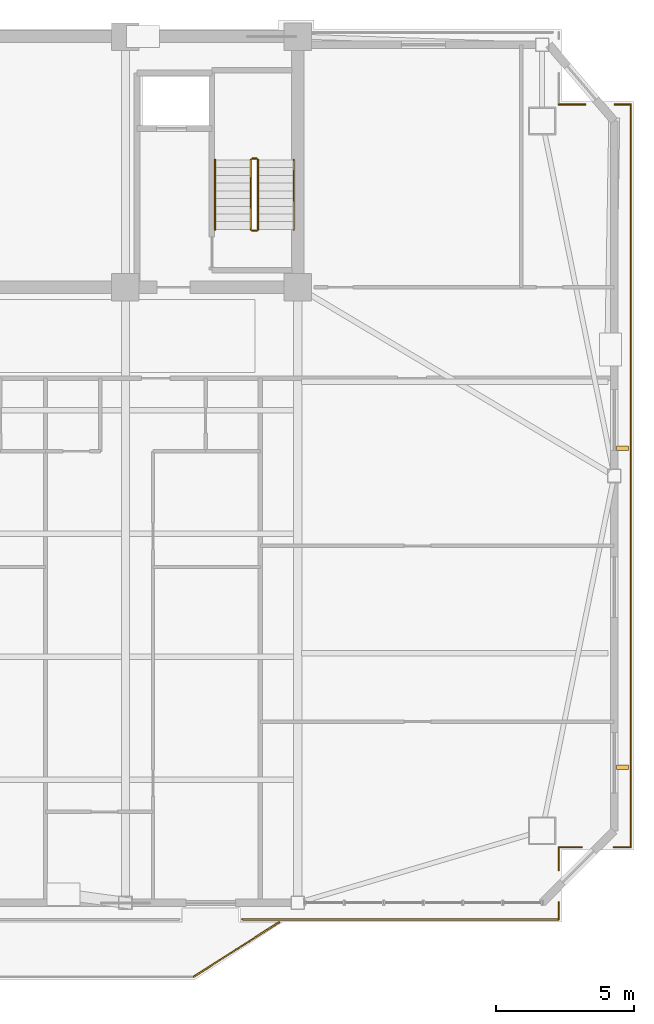
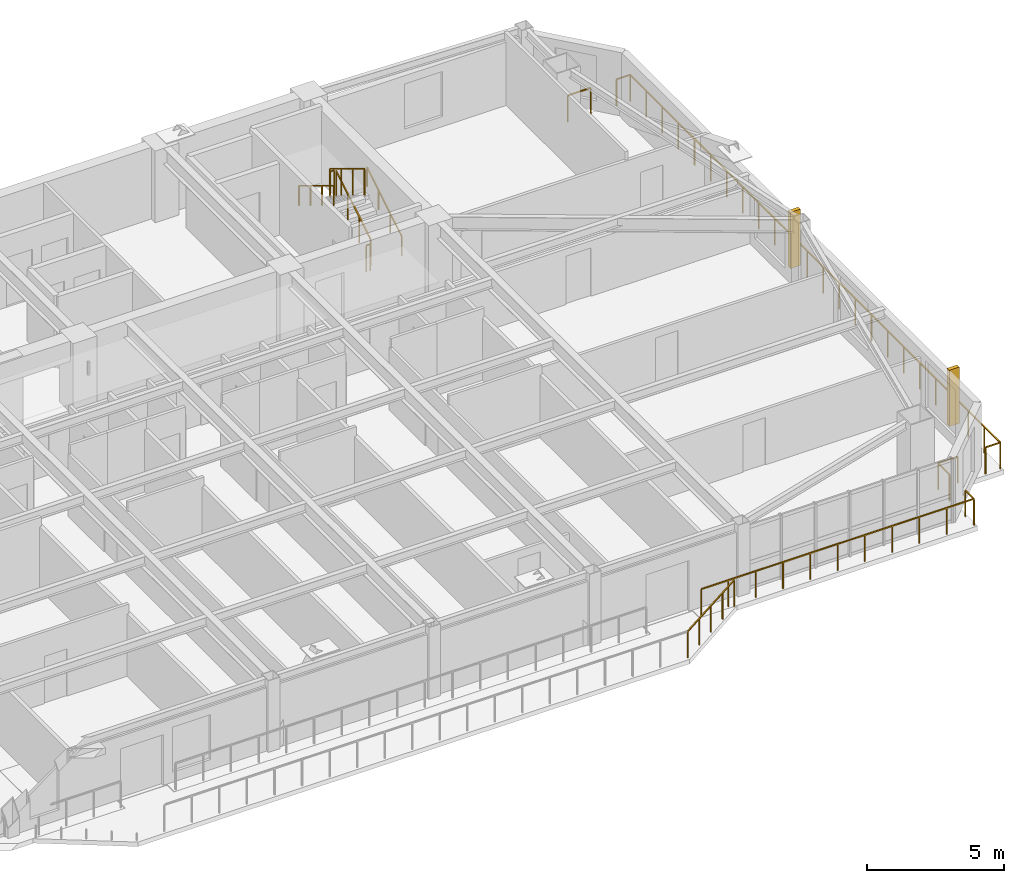
# One storey, part 15 of 17: 15 railings, 2 shading devices.
"""IFC4 building model written with IfcOpenShell, lengths in metres."""

from ifc_helpers import new_model, si_unit, direction, frame, origin, origin_2d, place, context, subcontext, project, spatial, rectangle, extrude, source, transform, mapped, material, type_object, element, save


model = new_model("IFC4")

# Units and contexts
model_context = context("Model", 3, precision=1e-05, world=origin(), true_north=direction((0.0, 1.0)))
body_context = subcontext(model_context, "Body", "Model", "MODEL_VIEW")
ifc_project = project(units=[si_unit("LENGTHUNIT", "METRE"), si_unit("AREAUNIT", "SQUARE_METRE"), si_unit("VOLUMEUNIT", "CUBIC_METRE"), si_unit("PLANEANGLEUNIT", "RADIAN"), si_unit("MASSUNIT", "GRAM", prefix="KILO")], contexts=[model_context])

# Site, building, storey
site_placement = place(None, origin())
site = spatial("IfcSite", under=ifc_project, at=site_placement, CompositionType="ELEMENT")
building_placement = place(site_placement, origin())
building = spatial("IfcBuilding", under=site, at=building_placement, Name="Giltprow Tower", CompositionType="ELEMENT")
storey_placement = place(building_placement, frame((0.0, 0.0, 248.5)))
storey = spatial("IfcBuildingStorey", under=building, at=storey_placement, Name="L63", CompositionType="ELEMENT", Elevation=248.5)

# Railings
ifc_material = material(Name="Anodized bronze", Category="metal")
railing_type_1 = type_object("IfcRailingType", Name="RAIL-BALC-GUARD-1200", PredefinedType="BALUSTRADE", material=ifc_material)
railing_1_placement = place(storey_placement, frame((46.780029296875, 12.43310546875, 0.0)))
element("IfcRailing", 1, at=railing_1_placement, inside=storey, type_object=railing_type_1, Name="L63 Waterfront Balcony Balustrade Seg 3", PredefinedType="BALUSTRADE", context=body_context, shape_type="SweptSolid", body=[
    extrude(rectangle(XDim=0.048095703125, YDim=0.048095703125, at=origin_2d()), frame((0.0, 0.0, 1.17578125), z_axis=(0.842755646126, 0.538296313309, 0.0), x_axis=(-0.538296313309, 0.842755646126, 0.0)), (0.0, 0.0, 1.0), 3.67822265625),
    extrude(rectangle(XDim=0.0419921875, YDim=0.0419921875, at=origin_2d()), origin(), (0.0, 0.0, 1.0), 1.15185546875),
    extrude(rectangle(XDim=0.0419921875, YDim=0.0419921875, at=origin_2d()), frame((0.77490234375, 0.4951171875, 0.0)), (0.0, 0.0, 1.0), 1.15185546875),
    extrude(rectangle(XDim=0.0419921875, YDim=0.0419921875, at=origin_2d()), frame((1.5498046875, 0.989990234375, 0.0)), (0.0, 0.0, 1.0), 1.15185546875),
    extrude(rectangle(XDim=0.0419921875, YDim=0.0419921875, at=origin_2d()), frame((2.324951171875, 1.48486328125, 0.0)), (0.0, 0.0, 1.0), 1.15185546875),
    extrude(rectangle(XDim=0.0419921875, YDim=0.0419921875, at=origin_2d()), frame((3.099853515625, 1.97998046875, 0.0)), (0.0, 0.0, 1.0), 1.15185546875),
])
railing_2_placement = place(storey_placement, frame((62.636962890625, 44.083984375, 0.0)))
element("IfcRailing", 2, at=railing_2_placement, inside=storey, type_object=railing_type_1, Name="L63 Corner Apron Edge Balustrade 1", PredefinedType="BALUSTRADE", context=body_context, shape_type="SweptSolid", body=[
    extrude(rectangle(XDim=0.048095703125, YDim=0.048095703125, at=origin_2d()), frame((0.0, 0.0, 1.17578125), z_axis=(0.0, -1.0, 0.0), x_axis=(1.0, 0.0, 0.0)), (0.0, 0.0, 1.0), 26.9560546875),
    extrude(rectangle(XDim=0.0419921875, YDim=0.0419921875, at=origin_2d()), origin(), (0.0, 0.0, 1.0), 1.15185546875),
    extrude(rectangle(XDim=0.0419921875, YDim=0.0419921875, at=origin_2d()), frame((0.0, -1.172119140625, 0.0)), (0.0, 0.0, 1.0), 1.15185546875),
    extrude(rectangle(XDim=0.0419921875, YDim=0.0419921875, at=origin_2d()), frame((0.0, -2.343994140625, 0.0)), (0.0, 0.0, 1.0), 1.15185546875),
    extrude(rectangle(XDim=0.0419921875, YDim=0.0419921875, at=origin_2d()), frame((0.0, -3.51611328125, 0.0)), (0.0, 0.0, 1.0), 1.15185546875),
    extrude(rectangle(XDim=0.0419921875, YDim=0.0419921875, at=origin_2d()), frame((0.0, -4.68798828125, 0.0)), (0.0, 0.0, 1.0), 1.15185546875),
    extrude(rectangle(XDim=0.0419921875, YDim=0.0419921875, at=origin_2d()), frame((0.0, -5.860107421875, 0.0)), (0.0, 0.0, 1.0), 1.15185546875),
    extrude(rectangle(XDim=0.0419921875, YDim=0.0419921875, at=origin_2d()), frame((0.0, -7.031982421875, 0.0)), (0.0, 0.0, 1.0), 1.15185546875),
    extrude(rectangle(XDim=0.0419921875, YDim=0.0419921875, at=origin_2d()), frame((0.0, -8.2041015625, 0.0)), (0.0, 0.0, 1.0), 1.15185546875),
    extrude(rectangle(XDim=0.0419921875, YDim=0.0419921875, at=origin_2d()), frame((0.0, -9.3759765625, 0.0)), (0.0, 0.0, 1.0), 1.15185546875),
    extrude(rectangle(XDim=0.0419921875, YDim=0.0419921875, at=origin_2d()), frame((0.0, -10.548095703125, 0.0)), (0.0, 0.0, 1.0), 1.15185546875),
    extrude(rectangle(XDim=0.0419921875, YDim=0.0419921875, at=origin_2d()), frame((0.0, -11.719970703125, 0.0)), (0.0, 0.0, 1.0), 1.15185546875),
    extrude(rectangle(XDim=0.0419921875, YDim=0.0419921875, at=origin_2d()), frame((0.0, -12.89208984375, 0.0)), (0.0, 0.0, 1.0), 1.15185546875),
    extrude(rectangle(XDim=0.0419921875, YDim=0.0419921875, at=origin_2d()), frame((0.0, -14.06396484375, 0.0)), (0.0, 0.0, 1.0), 1.15185546875),
    extrude(rectangle(XDim=0.0419921875, YDim=0.0419921875, at=origin_2d()), frame((0.0, -15.236083984375, 0.0)), (0.0, 0.0, 1.0), 1.15185546875),
    extrude(rectangle(XDim=0.0419921875, YDim=0.0419921875, at=origin_2d()), frame((0.0, -16.407958984375, 0.0)), (0.0, 0.0, 1.0), 1.15185546875),
    extrude(rectangle(XDim=0.0419921875, YDim=0.0419921875, at=origin_2d()), frame((0.0, -17.580078125, 0.0)), (0.0, 0.0, 1.0), 1.15185546875),
    extrude(rectangle(XDim=0.0419921875, YDim=0.0419921875, at=origin_2d()), frame((0.0, -18.751953125, 0.0)), (0.0, 0.0, 1.0), 1.15185546875),
    extrude(rectangle(XDim=0.0419921875, YDim=0.0419921875, at=origin_2d()), frame((0.0, -19.924072265625, 0.0)), (0.0, 0.0, 1.0), 1.15185546875),
    extrude(rectangle(XDim=0.0419921875, YDim=0.0419921875, at=origin_2d()), frame((0.0, -21.095947265625, 0.0)), (0.0, 0.0, 1.0), 1.15185546875),
    extrude(rectangle(XDim=0.0419921875, YDim=0.0419921875, at=origin_2d()), frame((0.0, -22.26806640625, 0.0)), (0.0, 0.0, 1.0), 1.15185546875),
    extrude(rectangle(XDim=0.0419921875, YDim=0.0419921875, at=origin_2d()), frame((0.0, -23.43994140625, 0.0)), (0.0, 0.0, 1.0), 1.15185546875),
    extrude(rectangle(XDim=0.0419921875, YDim=0.0419921875, at=origin_2d()), frame((0.0, -24.612060546875, 0.0)), (0.0, 0.0, 1.0), 1.15185546875),
    extrude(rectangle(XDim=0.0419921875, YDim=0.0419921875, at=origin_2d()), frame((0.0, -25.783935546875, 0.0)), (0.0, 0.0, 1.0), 1.15185546875),
    extrude(rectangle(XDim=0.0419921875, YDim=0.0419921875, at=origin_2d()), frame((0.0, -26.9560546875, 0.0)), (0.0, 0.0, 1.0), 1.15185546875),
])
railing_3_placement = place(storey_placement, frame((62.636962890625, 17.1279296875, 0.0)))
element("IfcRailing", 3, at=railing_3_placement, inside=storey, type_object=railing_type_1, Name="L63 Corner Apron Edge Balustrade 2", PredefinedType="BALUSTRADE", context=body_context, shape_type="SweptSolid", body=[
    extrude(rectangle(XDim=0.048095703125, YDim=0.048095703125, at=origin_2d()), frame((0.0, 0.0, 1.17578125), z_axis=(-1.0, 0.0, 0.0), x_axis=(0.0, -1.0, 0.0)), (0.0, 0.0, 1.0), 0.619873046875),
    extrude(rectangle(XDim=0.0419921875, YDim=0.0419921875, at=origin_2d()), origin(), (0.0, 0.0, 1.0), 1.15185546875),
    extrude(rectangle(XDim=0.0419921875, YDim=0.0419921875, at=origin_2d()), frame((-0.619873046875, 0.0, 0.0)), (0.0, 0.0, 1.0), 1.15185546875),
])
railing_4_placement = place(storey_placement, frame((60.85693359375, 17.1279296875, 0.0)))
element("IfcRailing", 4, at=railing_4_placement, inside=storey, type_object=railing_type_1, Name="L63 Corner Apron Edge Balustrade 3", PredefinedType="BALUSTRADE", context=body_context, shape_type="SweptSolid", body=[
    extrude(rectangle(XDim=0.048095703125, YDim=0.048095703125, at=origin_2d()), frame((0.0, 0.0, 1.17578125), z_axis=(-1.0, 0.0, 0.0), x_axis=(0.0, -1.0, 0.0)), (0.0, 0.0, 1.0), 0.8349609375),
    extrude(rectangle(XDim=0.0419921875, YDim=0.0419921875, at=origin_2d()), origin(), (0.0, 0.0, 1.0), 1.15185546875),
    extrude(rectangle(XDim=0.0419921875, YDim=0.0419921875, at=origin_2d()), frame((-0.8349609375, 0.0, 0.0)), (0.0, 0.0, 1.0), 1.15185546875),
])
railing_5_placement = place(storey_placement, frame((60.02197265625, 17.1279296875, 0.0)))
element("IfcRailing", 5, at=railing_5_placement, inside=storey, type_object=railing_type_1, Name="L63 Corner Apron Edge Balustrade 4", PredefinedType="BALUSTRADE", context=body_context, shape_type="SweptSolid", body=[
    extrude(rectangle(XDim=0.048095703125, YDim=0.048095703125, at=origin_2d()), frame((0.0, 0.0, 1.17578125), z_axis=(0.0, -1.0, 0.0), x_axis=(1.0, 0.0, 0.0)), (0.0, 0.0, 1.0), 0.8349609375),
    extrude(rectangle(XDim=0.0419921875, YDim=0.0419921875, at=origin_2d()), origin(), (0.0, 0.0, 1.0), 1.15185546875),
    extrude(rectangle(XDim=0.0419921875, YDim=0.0419921875, at=origin_2d()), frame((0.0, -0.8349609375, 0.0)), (0.0, 0.0, 1.0), 1.15185546875),
])
railing_6_placement = place(storey_placement, frame((60.02197265625, 15.133056640625, 0.0)))
element("IfcRailing", 6, at=railing_6_placement, inside=storey, type_object=railing_type_1, Name="L63 Corner Apron Edge Balustrade 5", PredefinedType="BALUSTRADE", context=body_context, shape_type="SweptSolid", body=[
    extrude(rectangle(XDim=0.048095703125, YDim=0.048095703125, at=origin_2d()), frame((0.0, 0.0, 1.17578125), z_axis=(0.0, -1.0, 0.0), x_axis=(1.0, 0.0, 0.0)), (0.0, 0.0, 1.0), 0.6201171875),
    extrude(rectangle(XDim=0.0419921875, YDim=0.0419921875, at=origin_2d()), origin(), (0.0, 0.0, 1.0), 1.15185546875),
    extrude(rectangle(XDim=0.0419921875, YDim=0.0419921875, at=origin_2d()), frame((0.0, -0.6201171875, 0.0)), (0.0, 0.0, 1.0), 1.15185546875),
])
railing_7_placement = place(storey_placement, frame((60.02197265625, 14.512939453125, 0.0)))
element("IfcRailing", 7, at=railing_7_placement, inside=storey, type_object=railing_type_1, Name="L63 Corner Apron Edge Balustrade 6", PredefinedType="BALUSTRADE", context=body_context, shape_type="SweptSolid", body=[
    extrude(rectangle(XDim=0.048095703125, YDim=0.048095703125, at=origin_2d()), frame((0.0, 0.0, 1.17578125), z_axis=(-1.0, 0.0, 0.0), x_axis=(0.0, -1.0, 0.0)), (0.0, 0.0, 1.0), 11.471923828125),
    extrude(rectangle(XDim=0.0419921875, YDim=0.0419921875, at=origin_2d()), origin(), (0.0, 0.0, 1.0), 1.15185546875),
    extrude(rectangle(XDim=0.0419921875, YDim=0.0419921875, at=origin_2d()), frame((-1.147216796875, 0.0, 0.0)), (0.0, 0.0, 1.0), 1.15185546875),
    extrude(rectangle(XDim=0.0419921875, YDim=0.0419921875, at=origin_2d()), frame((-2.29443359375, 0.0, 0.0)), (0.0, 0.0, 1.0), 1.15185546875),
    extrude(rectangle(XDim=0.0419921875, YDim=0.0419921875, at=origin_2d()), frame((-3.441650390625, 0.0, 0.0)), (0.0, 0.0, 1.0), 1.15185546875),
    extrude(rectangle(XDim=0.0419921875, YDim=0.0419921875, at=origin_2d()), frame((-4.5888671875, 0.0, 0.0)), (0.0, 0.0, 1.0), 1.15185546875),
    extrude(rectangle(XDim=0.0419921875, YDim=0.0419921875, at=origin_2d()), frame((-5.73583984375, 0.0, 0.0)), (0.0, 0.0, 1.0), 1.15185546875),
    extrude(rectangle(XDim=0.0419921875, YDim=0.0419921875, at=origin_2d()), frame((-6.883056640625, 0.0, 0.0)), (0.0, 0.0, 1.0), 1.15185546875),
    extrude(rectangle(XDim=0.0419921875, YDim=0.0419921875, at=origin_2d()), frame((-8.0302734375, 0.0, 0.0)), (0.0, 0.0, 1.0), 1.15185546875),
    extrude(rectangle(XDim=0.0419921875, YDim=0.0419921875, at=origin_2d()), frame((-9.177490234375, 0.0, 0.0)), (0.0, 0.0, 1.0), 1.15185546875),
    extrude(rectangle(XDim=0.0419921875, YDim=0.0419921875, at=origin_2d()), frame((-10.32470703125, 0.0, 0.0)), (0.0, 0.0, 1.0), 1.15185546875),
    extrude(rectangle(XDim=0.0419921875, YDim=0.0419921875, at=origin_2d()), frame((-11.471923828125, 0.0, 0.0)), (0.0, 0.0, 1.0), 1.15185546875),
])
railing_8_placement = place(storey_placement, frame((60.02197265625, 44.083984375, 0.0)))
element("IfcRailing", 8, at=railing_8_placement, inside=storey, type_object=railing_type_1, Name="L63 Corner Apron Edge Balustrade 22", PredefinedType="BALUSTRADE", context=body_context, shape_type="SweptSolid", body=[
    extrude(rectangle(XDim=0.048095703125, YDim=0.048095703125, at=origin_2d()), frame((0.0, 0.0, 1.17578125), z_axis=(1.0, 0.0, 0.0), x_axis=(0.0, 1.0, 0.0)), (0.0, 0.0, 1.0), 0.963134765625),
    extrude(rectangle(XDim=0.0419921875, YDim=0.0419921875, at=origin_2d()), origin(), (0.0, 0.0, 1.0), 1.15185546875),
    extrude(rectangle(XDim=0.0419921875, YDim=0.0419921875, at=origin_2d()), frame((0.963134765625, 0.0, 0.0)), (0.0, 0.0, 1.0), 1.15185546875),
])
railing_9_placement = place(storey_placement, frame((62.06396484375, 44.083984375, 0.0)))
element("IfcRailing", 9, at=railing_9_placement, inside=storey, type_object=railing_type_1, Name="L63 Corner Apron Edge Balustrade 23", PredefinedType="BALUSTRADE", context=body_context, shape_type="SweptSolid", body=[
    extrude(rectangle(XDim=0.048095703125, YDim=0.048095703125, at=origin_2d()), frame((0.0, 0.0, 1.17578125), z_axis=(1.0, 0.0, 0.0), x_axis=(0.0, 1.0, 0.0)), (0.0, 0.0, 1.0), 0.572998046875),
    extrude(rectangle(XDim=0.0419921875, YDim=0.0419921875, at=origin_2d()), origin(), (0.0, 0.0, 1.0), 1.15185546875),
    extrude(rectangle(XDim=0.0419921875, YDim=0.0419921875, at=origin_2d()), frame((0.572998046875, 0.0, 0.0)), (0.0, 0.0, 1.0), 1.15185546875),
])
railing_type_2 = type_object("IfcRailingType", Name="RAIL-STAIR-GUARD-1200", PredefinedType="GUARDRAIL", material=ifc_material)
railing_10_placement = place(storey_placement, frame((49.110107421875, 39.550048828125, 0.169921875)))
element("IfcRailing", 10, at=railing_10_placement, inside=storey, type_object=railing_type_2, Name="L63 ST-3 stair guard 1", PredefinedType="GUARDRAIL", context=body_context, shape_type="SweptSolid", body=[
    extrude(rectangle(XDim=0.048095703125, YDim=0.048095703125, at=origin_2d()), frame((0.0, 0.0, 1.17578125), z_axis=(0.0, 0.85478489116, 0.518982456201), x_axis=(-1.0, 0.0, 0.0)), (0.0, 0.0, 1.0), 2.9482421875),
    extrude(rectangle(XDim=0.0419921875, YDim=0.0419921875, at=origin_2d()), origin(), (0.0, 0.0, 1.0), 1.15185546875),
    extrude(rectangle(XDim=0.0419921875, YDim=0.0419921875, at=origin_2d()), frame((0.0, 0.840087890625, 0.510009765625)), (0.0, 0.0, 1.0), 1.15185546875),
    extrude(rectangle(XDim=0.0419921875, YDim=0.0419921875, at=origin_2d()), frame((0.0, 1.679931640625, 1.02001953125)), (0.0, 0.0, 1.0), 1.15185546875),
    extrude(rectangle(XDim=0.0419921875, YDim=0.0419921875, at=origin_2d()), frame((0.0, 2.52001953125, 1.530029296875)), (0.0, 0.0, 1.0), 1.15185546875),
])
railing_11_placement = place(storey_placement, frame((49.06005859375, 42.1201171875, 1.699951171875)))
element("IfcRailing", 11, at=railing_11_placement, inside=storey, type_object=railing_type_2, Name="L63 ST-3 stair guard 2", PredefinedType="GUARDRAIL", context=body_context, shape_type="SweptSolid", body=[
    extrude(rectangle(XDim=0.048095703125, YDim=0.048095703125, at=origin_2d()), frame((0.0, 0.0, 1.17578125), z_axis=(-1.0, 0.0, 0.0), x_axis=(0.0, -1.0, 0.0)), (0.0, 0.0, 1.0), 0.16015625),
    extrude(rectangle(XDim=0.0419921875, YDim=0.0419921875, at=origin_2d()), origin(), (0.0, 0.0, 1.0), 1.15185546875),
    extrude(rectangle(XDim=0.0419921875, YDim=0.0419921875, at=origin_2d()), frame((-0.16015625, 0.0, 0.0)), (0.0, 0.0, 1.0), 1.15185546875),
])
railing_12_placement = place(storey_placement, frame((48.85009765625, 42.070068359375, 1.8701171875)))
element("IfcRailing", 12, at=railing_12_placement, inside=storey, type_object=railing_type_2, Name="L63 ST-3 stair guard 3", PredefinedType="GUARDRAIL", context=body_context, shape_type="SweptSolid", body=[
    extrude(rectangle(XDim=0.048095703125, YDim=0.048095703125, at=origin_2d()), frame((0.0, 0.0, 1.17578125), z_axis=(0.0, -0.854821627497, 0.518921945155), x_axis=(1.0, 0.0, 0.0)), (0.0, 0.0, 1.0), 2.947998046875),
    extrude(rectangle(XDim=0.0419921875, YDim=0.0419921875, at=origin_2d()), origin(), (0.0, 0.0, 1.0), 1.15185546875),
    extrude(rectangle(XDim=0.0419921875, YDim=0.0419921875, at=origin_2d()), frame((0.0, -0.840087890625, 0.510009765625)), (0.0, 0.0, 1.0), 1.15185546875),
    extrude(rectangle(XDim=0.0419921875, YDim=0.0419921875, at=origin_2d()), frame((0.0, -1.679931640625, 1.019775390625)), (0.0, 0.0, 1.0), 1.15185546875),
    extrude(rectangle(XDim=0.0419921875, YDim=0.0419921875, at=origin_2d()), frame((0.0, -2.52001953125, 1.52978515625)), (0.0, 0.0, 1.0), 1.15185546875),
])
railing_13_placement = place(storey_placement, frame((49.06005859375, 39.5, 0.0)))
element("IfcRailing", 13, at=railing_13_placement, inside=storey, type_object=railing_type_2, Name="L63 ST-3 stair guard 4", PredefinedType="GUARDRAIL", context=body_context, shape_type="SweptSolid", body=[
    extrude(rectangle(XDim=0.048095703125, YDim=0.048095703125, at=origin_2d()), frame((0.0, 0.0, 1.17578125), z_axis=(-1.0, 0.0, 0.0), x_axis=(0.0, -1.0, 0.0)), (0.0, 0.0, 1.0), 0.16015625),
    extrude(rectangle(XDim=0.0419921875, YDim=0.0419921875, at=origin_2d()), origin(), (0.0, 0.0, 1.0), 1.15185546875),
    extrude(rectangle(XDim=0.0419921875, YDim=0.0419921875, at=origin_2d()), frame((-0.16015625, 0.0, 0.0)), (0.0, 0.0, 1.0), 1.15185546875),
])
railing_type_3 = type_object("IfcRailingType", Name="RAIL-STAIR-HAND-900", PredefinedType="HANDRAIL", material=ifc_material)
railing_14_placement = place(storey_placement, frame((50.409912109375, 39.550048828125, 0.169921875)))
element("IfcRailing", 14, at=railing_14_placement, inside=storey, type_object=railing_type_3, Name="L63 ST-3 stair handrail 1", PredefinedType="HANDRAIL", context=body_context, shape_type="SweptSolid", body=[
    extrude(rectangle(XDim=0.048095703125, YDim=0.048095703125, at=origin_2d()), frame((0.0, 0.0, 0.8759765625), z_axis=(0.0, 0.85478489116, 0.518982456201), x_axis=(-1.0, 0.0, 0.0)), (0.0, 0.0, 1.0), 2.9482421875),
    extrude(rectangle(XDim=0.0419921875, YDim=0.0419921875, at=origin_2d()), origin(), (0.0, 0.0, 1.0), 0.851806640625),
    extrude(rectangle(XDim=0.0419921875, YDim=0.0419921875, at=origin_2d()), frame((0.0, 0.840087890625, 0.510009765625)), (0.0, 0.0, 1.0), 0.851806640625),
    extrude(rectangle(XDim=0.0419921875, YDim=0.0419921875, at=origin_2d()), frame((0.0, 1.679931640625, 1.02001953125)), (0.0, 0.0, 1.0), 0.851806640625),
    extrude(rectangle(XDim=0.0419921875, YDim=0.0419921875, at=origin_2d()), frame((0.0, 2.52001953125, 1.530029296875)), (0.0, 0.0, 1.0), 0.851806640625),
])
railing_15_placement = place(storey_placement, frame((47.550048828125, 42.070068359375, 1.8701171875)))
element("IfcRailing", 15, at=railing_15_placement, inside=storey, type_object=railing_type_3, Name="L63 ST-3 stair handrail 2", PredefinedType="HANDRAIL", context=body_context, shape_type="SweptSolid", body=[
    extrude(rectangle(XDim=0.048095703125, YDim=0.048095703125, at=origin_2d()), frame((0.0, 0.0, 0.8759765625), z_axis=(0.0, -0.854821627497, 0.518921945155), x_axis=(1.0, 0.0, 0.0)), (0.0, 0.0, 1.0), 2.947998046875),
    extrude(rectangle(XDim=0.0419921875, YDim=0.0419921875, at=origin_2d()), origin(), (0.0, 0.0, 1.0), 0.851806640625),
    extrude(rectangle(XDim=0.0419921875, YDim=0.0419921875, at=origin_2d()), frame((0.0, -0.840087890625, 0.510009765625)), (0.0, 0.0, 1.0), 0.851806640625),
    extrude(rectangle(XDim=0.0419921875, YDim=0.0419921875, at=origin_2d()), frame((0.0, -1.679931640625, 1.019775390625)), (0.0, 0.0, 1.0), 0.851806640625),
    extrude(rectangle(XDim=0.0419921875, YDim=0.0419921875, at=origin_2d()), frame((0.0, -2.52001953125, 1.52978515625)), (0.0, 0.0, 1.0), 0.851806640625),
])

# Shading devices
shading_device_type = type_object("IfcShadingDeviceType", Name="SHD-FIN-420", PredefinedType="USERDEFINED", material=ifc_material)
shared_shape = source(origin(), body_context, "Body", "SweptSolid", [
    extrude(rectangle(XDim=0.419921875, YDim=0.159912109375, at=origin_2d()), origin(), (0.0, 0.0, 1.0), 2.5),
])
for number, where, z_axis, x_axis, name in (
    (16, (62.3369140625, 20.031982421875, 0.35009765625), (0.0, 0.0, 1.0), (1.0, 0.0, 0.0), "L63 E Bronze Vertical Fin 1-1"),
    (17, (62.3369140625, 31.60595703125, 0.35009765625), (0.0, 0.0, 1.0), (1.0, 0.0, 0.0), "L63 E Bronze Vertical Fin 2-1"),
):
    element("IfcShadingDevice", number, at=place(storey_placement, frame(where, z_axis=z_axis, x_axis=x_axis)), inside=storey, type_object=shading_device_type, Name=name, ObjectType="FIN", PredefinedType="USERDEFINED", context=body_context, shape_type="MappedRepresentation", body=[
        mapped(shared_shape, transform((0.0, 0.0, 0.0), x_axis=(1.0, 0.0, 0.0), y_axis=(0.0, 1.0, 0.0), z_axis=(0.0, 0.0, 1.0), scale=1.0)),
    ])

save(model, "model.ifc")
